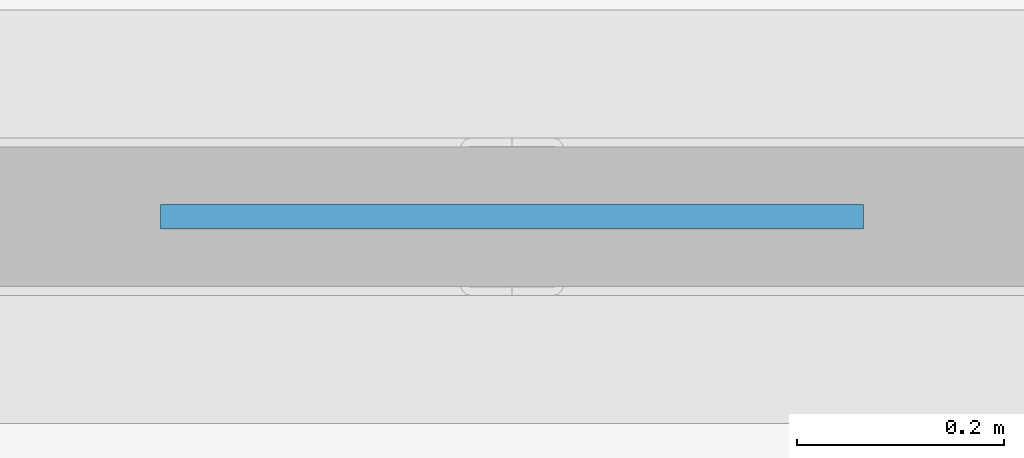
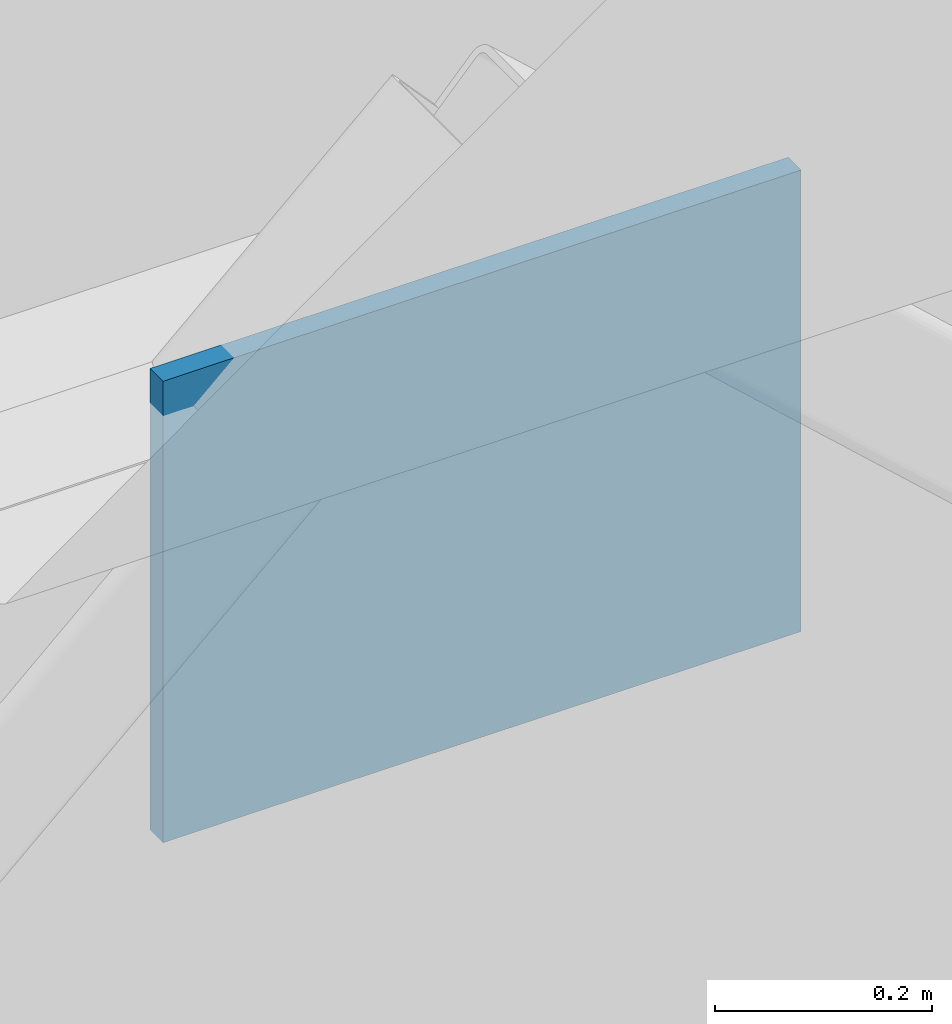
# One storey, part 60 of 93: 1 plate.
"""IFC4 building model written with IfcOpenShell, lengths in metres."""

from ifc_helpers import new_model, si_unit, direction, frame, origin, origin_2d, place, context, subcontext, project, spatial, rectangle, extrude, material, layer, layer_set, type_object, element, save


model = new_model("IFC4")

# Units and contexts
model_context = context("Model", 3, precision=1e-05, world=origin(), true_north=direction((0.0, 1.0)))
body_context = subcontext(model_context, "Body", "Model", "MODEL_VIEW")
ifc_project = project(units=[si_unit("LENGTHUNIT", "METRE"), si_unit("AREAUNIT", "SQUARE_METRE"), si_unit("VOLUMEUNIT", "CUBIC_METRE"), si_unit("PLANEANGLEUNIT", "RADIAN"), si_unit("MASSUNIT", "GRAM", prefix="KILO")], contexts=[model_context])

# Site, building, storey
site_placement = place(None, origin())
site = spatial("IfcSite", under=ifc_project, at=site_placement, CompositionType="ELEMENT")
building_placement = place(site_placement, origin())
building = spatial("IfcBuilding", under=site, at=building_placement, Name="Vaudrelin Polytechnic", CompositionType="ELEMENT")
storey_placement = place(building_placement, frame((0.0, 0.0, 5.10009765625)))
storey = spatial("IfcBuildingStorey", under=building, at=storey_placement, Name="L01", CompositionType="ELEMENT", Elevation=5.10009765625)

# Plate
ifc_material = material(Name="Steel CSA G40.21 350WT", Category="steel")
ifc_layer = layer(ifc_material, 0.02392578125)
ifc_layer_set = layer_set([ifc_layer], Name="Steel CSA G40.21 350WT")
plate_type = type_object("IfcPlateType", Name="PLT-GP-09", PredefinedType="USERDEFINED", material=ifc_layer_set)
plate_placement = place(storey_placement, frame((117.449951171875, 32.39990234375, 3.179931640625), z_axis=(0.0, 0.0, 1.0), x_axis=(1.0, 0.0, 0.0)))
element("IfcPlate", 1, at=plate_placement, inside=storey, type_object=plate_type, Name="Braced-frame apex gusset plate GP-BF08", ObjectType="GUSSET PLATE", PredefinedType="USERDEFINED", context=body_context, shape_type="SweptSolid", body=[
    extrude(rectangle(XDim=0.679931640625, YDim=0.02392578125, at=origin_2d()), origin(), (0.0, 0.0, 1.0), 0.52001953125),
])

save(model, "model.ifc")
